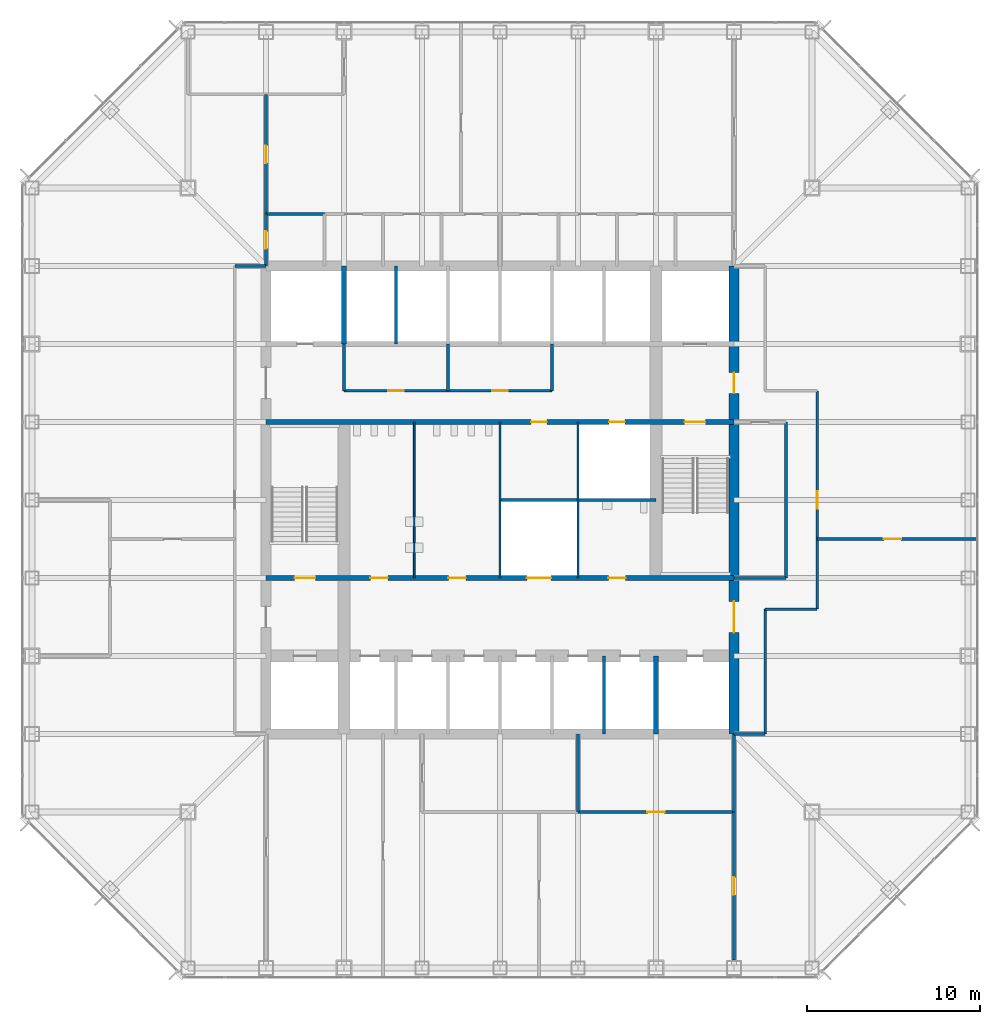
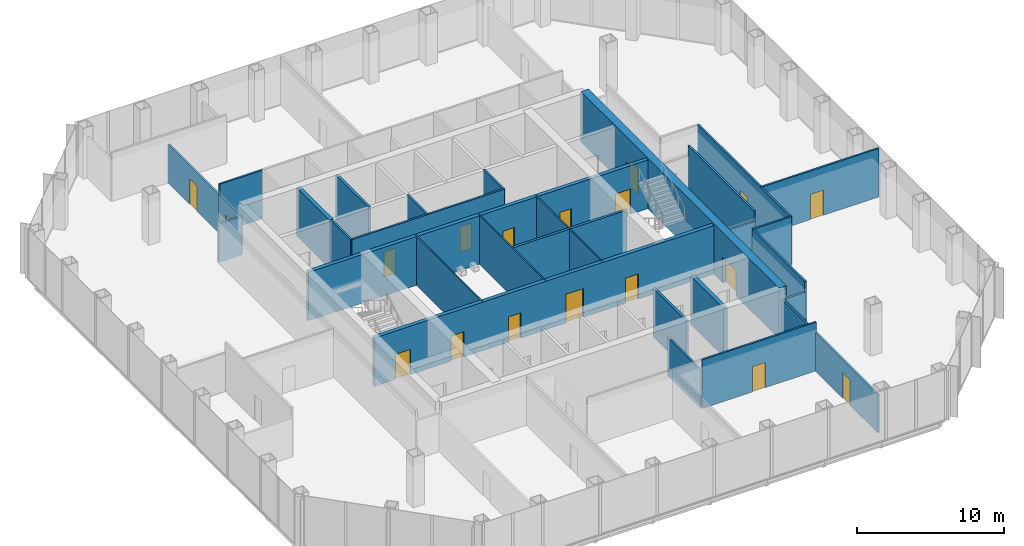
# One storey, part 9 of 13: 30 walls, 18 doors, 18 openings.
"""IFC4 building model written with IfcOpenShell, lengths in metres."""

from ifc_helpers import new_model, si_unit, direction, frame, frame_2d, origin, place, context, subcontext, project, spatial, rectangle, extrude, material, layer, layer_set, type_object, element, fill, save


model = new_model("IFC4")

# Units and contexts
model_context = context("Model", 3, precision=1e-05, world=origin(), true_north=direction((0.0, 1.0)))
body_context = subcontext(model_context, "Body", "Model", "MODEL_VIEW")
ifc_project = project(units=[si_unit("LENGTHUNIT", "METRE"), si_unit("AREAUNIT", "SQUARE_METRE"), si_unit("VOLUMEUNIT", "CUBIC_METRE"), si_unit("PLANEANGLEUNIT", "RADIAN"), si_unit("MASSUNIT", "GRAM", prefix="KILO")], contexts=[model_context])

# Site, building, storey
site_placement = place(None, origin())
site = spatial("IfcSite", under=ifc_project, at=site_placement, CompositionType="ELEMENT")
building_placement = place(site_placement, origin())
building = spatial("IfcBuilding", under=site, at=building_placement, Name="Corais Broadcast Tower", CompositionType="ELEMENT")
storey_placement = place(building_placement, frame((0.0, 0.0, 62.60009765625)))
storey = spatial("IfcBuildingStorey", under=building, at=storey_placement, Name="L13", CompositionType="ELEMENT", Elevation=62.60009765625)

# Walls
ifc_material_1 = material(Name="Concrete blockwork class A, grouted, two-hour", Category="masonry")
ifc_layer_1 = layer(ifc_material_1, 0.300048828125)
ifc_layer_set_1 = layer_set([ifc_layer_1], Name="Concrete blockwork class A, grouted, two-hour")
wall_type_1 = type_object("IfcWallType", Name="Core lobby wall 300", PredefinedType="SOLIDWALL", material=ifc_layer_set_1)
for number, where, z_axis, x_axis, name in (
    (1, (18.0, 36.0, 0.0), (0.0, 0.0, 1.0), (0.0, 1.0, 0.0), "CL1 core shaft wall X18B L13"),
    (2, (36.0, 13.5, 0.0), (0.0, 0.0, 1.0), (0.0, 1.0, 0.0), "CL1 core shaft wall X36A L13"),
):
    element("IfcWall", number, at=place(storey_placement, frame(where, z_axis=z_axis, x_axis=x_axis)), inside=storey, type_object=wall_type_1, Name=name, PredefinedType="SOLIDWALL", context=body_context, shape_type="SweptSolid", body=[
        extrude(rectangle(XDim=4.5, YDim=0.300048828125, at=frame_2d((2.25, 0.0))), origin(), (0.0, 0.0, 1.0), 4.039794921875),
    ])

# Wall, openings, doors
wall_1_placement = place(storey_placement, frame((13.5, 22.5, 0.0), z_axis=(0.0, 0.0, 1.0), x_axis=(1.0, 0.0, 0.0)))
wall_1 = element("IfcWall", 3, at=wall_1_placement, inside=storey, type_object=wall_type_1, Name="CL1 core lobby wall Y225 L13", PredefinedType="SOLIDWALL", context=body_context, shape_type="SweptSolid", body=[
    extrude(rectangle(XDim=27.0, YDim=0.300048828125, at=frame_2d((13.5, 0.0))), origin(), (0.0, 0.0, 1.0), 4.039794921875),
])
opening_1_placement = place(wall_1_placement, frame((1.64990234375, 0.0, 0.0)))
opening_1 = element("IfcOpeningElement", 4, at=opening_1_placement, cuts=wall_1, Name="Opening FD1", PredefinedType="OPENING", context=body_context, shape_type="SweptSolid", body=[
    extrude(rectangle(XDim=1.199951171875, YDim=2.10009765625, at=frame_2d((0.60009765625, 1.050048828125))), frame((0.0, 0.159912109375, 0.0), z_axis=(0.0, -1.0, 0.0), x_axis=(1.0, 0.0, 0.0)), (0.0, 0.0, 1.0), 0.320068359375),
])
opening_2_placement = place(wall_1_placement, frame((6.02490234375, 0.0, 0.0)))
opening_2 = element("IfcOpeningElement", 5, at=opening_2_placement, cuts=wall_1, Name="Opening WD1", PredefinedType="OPENING", context=body_context, shape_type="SweptSolid", body=[
    extrude(rectangle(XDim=1.0, YDim=2.10009765625, at=frame_2d((0.5, 1.050048828125))), frame((0.0, 0.159912109375, 0.0), z_axis=(0.0, -1.0, 0.0), x_axis=(1.0, 0.0, 0.0)), (0.0, 0.0, 1.0), 0.320068359375),
])
opening_3_placement = place(wall_1_placement, frame((10.52490234375, 0.0, 0.0)))
opening_3 = element("IfcOpeningElement", 6, at=opening_3_placement, cuts=wall_1, Name="Opening WD1", PredefinedType="OPENING", context=body_context, shape_type="SweptSolid", body=[
    extrude(rectangle(XDim=1.0, YDim=2.10009765625, at=frame_2d((0.5, 1.050048828125))), frame((0.0, 0.159912109375, 0.0), z_axis=(0.0, -1.0, 0.0), x_axis=(1.0, 0.0, 0.0)), (0.0, 0.0, 1.0), 0.320068359375),
])
opening_4_placement = place(wall_1_placement, frame((19.75, 0.0, 0.0)))
opening_4 = element("IfcOpeningElement", 7, at=opening_4_placement, cuts=wall_1, Name="Opening WD1", PredefinedType="OPENING", context=body_context, shape_type="SweptSolid", body=[
    extrude(rectangle(XDim=1.0, YDim=2.10009765625, at=frame_2d((0.5, 1.050048828125))), frame((0.0, 0.159912109375, 0.0), z_axis=(0.0, -1.0, 0.0), x_axis=(1.0, 0.0, 0.0)), (0.0, 0.0, 1.0), 0.320068359375),
])
opening_5_placement = place(wall_1_placement, frame((15.050048828125, 0.0, 0.0)))
opening_5 = element("IfcOpeningElement", 8, at=opening_5_placement, cuts=wall_1, Name="Opening LD3", PredefinedType="OPENING", context=body_context, shape_type="SweptSolid", body=[
    extrude(rectangle(XDim=1.39990234375, YDim=2.39990234375, at=frame_2d((0.699951171875, 1.199951171875))), frame((0.0, 0.159912109375, 0.0), z_axis=(0.0, -1.0, 0.0), x_axis=(1.0, 0.0, 0.0)), (0.0, 0.0, 1.0), 0.320068359375),
])
ifc_material_2 = material(Name="Steel fire door", Category="steel")
door_type_1 = type_object("IfcDoorType", Name="Fire door 1200x2100", OperationType="SINGLE_SWING_LEFT", PredefinedType="DOOR", material=ifc_material_2)
door_1_placement = place(opening_1_placement, origin())
door_1 = element("IfcDoor", 9, at=door_1_placement, inside=storey, type_object=door_type_1, Name="FD1 stair A door L13", OperationType="SINGLE_SWING_LEFT", OverallHeight=2.10009765625, OverallWidth=1.199951171875, PredefinedType="DOOR", context=body_context, shape_type="SweptSolid", body=[
    extrude(rectangle(XDim=1.199951171875, YDim=2.10009765625, at=frame_2d((0.60009765625, 1.050048828125))), frame((0.0, 0.02490234375, 0.0), z_axis=(0.0, -1.0, 0.0), x_axis=(1.0, 0.0, 0.0)), (0.0, 0.0, 1.0), 0.050048828125),
])
fill(opening_1, door_1)
ifc_material_3 = material(Name="Stainless steel lift door", Category="steel")
door_type_2 = type_object("IfcDoorType", Name="Service lift landing door 1400x2400", OperationType="SLIDING_TO_LEFT", PredefinedType="DOOR", material=ifc_material_3)
door_2_placement = place(opening_5_placement, origin())
door_2 = element("IfcDoor", 10, at=door_2_placement, inside=storey, type_object=door_type_2, Name="LD3 SL1 landing door L13", OperationType="SLIDING_TO_LEFT", OverallHeight=2.39990234375, OverallWidth=1.39990234375, PredefinedType="DOOR", context=body_context, shape_type="SweptSolid", body=[
    extrude(rectangle(XDim=1.39990234375, YDim=2.39990234375, at=frame_2d((0.699951171875, 1.199951171875))), frame((0.0, 0.02490234375, 0.0), z_axis=(0.0, -1.0, 0.0), x_axis=(1.0, 0.0, 0.0)), (0.0, 0.0, 1.0), 0.050048828125),
])
fill(opening_5, door_2)
ifc_material_4 = material(Name="Timber door", Category="wood")
door_type_3 = type_object("IfcDoorType", Name="Toilet door 1000x2100", OperationType="SINGLE_SWING_LEFT", PredefinedType="DOOR", material=ifc_material_4)
door_3_placement = place(opening_2_placement, origin())
door_3 = element("IfcDoor", 11, at=door_3_placement, inside=storey, type_object=door_type_3, Name="WD1 WC male door L13", OperationType="SINGLE_SWING_LEFT", OverallHeight=2.10009765625, OverallWidth=1.0, PredefinedType="DOOR", context=body_context, shape_type="SweptSolid", body=[
    extrude(rectangle(XDim=1.0, YDim=2.10009765625, at=frame_2d((0.5, 1.050048828125))), frame((0.0, 0.02490234375, 0.0), z_axis=(0.0, -1.0, 0.0), x_axis=(1.0, 0.0, 0.0)), (0.0, 0.0, 1.0), 0.050048828125),
])
fill(opening_2, door_3)
door_4_placement = place(opening_3_placement, origin())
door_4 = element("IfcDoor", 12, at=door_4_placement, inside=storey, type_object=door_type_3, Name="WD1 WC female door L13", OperationType="SINGLE_SWING_LEFT", OverallHeight=2.10009765625, OverallWidth=1.0, PredefinedType="DOOR", context=body_context, shape_type="SweptSolid", body=[
    extrude(rectangle(XDim=1.0, YDim=2.10009765625, at=frame_2d((0.5, 1.050048828125))), frame((0.0, 0.02490234375, 0.0), z_axis=(0.0, -1.0, 0.0), x_axis=(1.0, 0.0, 0.0)), (0.0, 0.0, 1.0), 0.050048828125),
])
fill(opening_3, door_4)
door_5_placement = place(opening_4_placement, origin())
door_5 = element("IfcDoor", 13, at=door_5_placement, inside=storey, type_object=door_type_3, Name="WD1 accessible WC door L13", OperationType="SINGLE_SWING_RIGHT", OverallHeight=2.10009765625, OverallWidth=1.0, PredefinedType="DOOR", context=body_context, shape_type="SweptSolid", body=[
    extrude(rectangle(XDim=1.0, YDim=2.10009765625, at=frame_2d((0.5, 1.050048828125))), frame((0.0, 0.02490234375, 0.0), z_axis=(0.0, -1.0, 0.0), x_axis=(1.0, 0.0, 0.0)), (0.0, 0.0, 1.0), 0.050048828125),
])
fill(opening_4, door_5)

wall_2_placement = place(storey_placement, frame((13.5, 31.5, 0.0), z_axis=(0.0, 0.0, 1.0), x_axis=(1.0, 0.0, 0.0)))
wall_2 = element("IfcWall", 14, at=wall_2_placement, inside=storey, type_object=wall_type_1, Name="CL1 core lobby wall Y315 L13", PredefinedType="SOLIDWALL", context=body_context, shape_type="SweptSolid", body=[
    extrude(rectangle(XDim=27.0, YDim=0.300048828125, at=frame_2d((13.5, 0.0))), origin(), (0.0, 0.0, 1.0), 4.039794921875),
])
opening_6_placement = place(wall_2_placement, frame((24.14990234375, 0.0, 0.0)))
opening_6 = element("IfcOpeningElement", 15, at=opening_6_placement, cuts=wall_2, Name="Opening FD1", PredefinedType="OPENING", context=body_context, shape_type="SweptSolid", body=[
    extrude(rectangle(XDim=1.199951171875, YDim=2.10009765625, at=frame_2d((0.60009765625, 1.050048828125))), frame((0.0, 0.159912109375, 0.0), z_axis=(0.0, -1.0, 0.0), x_axis=(1.0, 0.0, 0.0)), (0.0, 0.0, 1.0), 0.320068359375),
])
opening_7_placement = place(wall_2_placement, frame((15.300048828125, 0.0, 0.0)))
opening_7 = element("IfcOpeningElement", 16, at=opening_7_placement, cuts=wall_2, Name="Opening RD1", PredefinedType="OPENING", context=body_context, shape_type="SweptSolid", body=[
    extrude(rectangle(XDim=0.89990234375, YDim=2.10009765625, at=frame_2d((0.449951171875, 1.050048828125))), frame((0.0, 0.159912109375, 0.0), z_axis=(0.0, -1.0, 0.0), x_axis=(1.0, 0.0, 0.0)), (0.0, 0.0, 1.0), 0.320068359375),
])
opening_8_placement = place(wall_2_placement, frame((19.800048828125, 0.0, 0.0)))
opening_8 = element("IfcOpeningElement", 17, at=opening_8_placement, cuts=wall_2, Name="Opening RD1", PredefinedType="OPENING", context=body_context, shape_type="SweptSolid", body=[
    extrude(rectangle(XDim=0.89990234375, YDim=2.10009765625, at=frame_2d((0.449951171875, 1.050048828125))), frame((0.0, 0.159912109375, 0.0), z_axis=(0.0, -1.0, 0.0), x_axis=(1.0, 0.0, 0.0)), (0.0, 0.0, 1.0), 0.320068359375),
])
door_6_placement = place(opening_6_placement, origin())
door_6 = element("IfcDoor", 18, at=door_6_placement, inside=storey, type_object=door_type_1, Name="FD1 stair B door L13", OperationType="SINGLE_SWING_RIGHT", OverallHeight=2.10009765625, OverallWidth=1.199951171875, PredefinedType="DOOR", context=body_context, shape_type="SweptSolid", body=[
    extrude(rectangle(XDim=1.199951171875, YDim=2.10009765625, at=frame_2d((0.60009765625, 1.050048828125))), frame((0.0, 0.02490234375, 0.0), z_axis=(0.0, -1.0, 0.0), x_axis=(1.0, 0.0, 0.0)), (0.0, 0.0, 1.0), 0.050048828125),
])
fill(opening_6, door_6)
ifc_material_5 = material(Name="Steel fire door", Category="steel")
door_type_4 = type_object("IfcDoorType", Name="Riser door 900x2100", OperationType="SINGLE_SWING_LEFT", PredefinedType="DOOR", material=ifc_material_5)
door_7_placement = place(opening_7_placement, origin())
door_7 = element("IfcDoor", 19, at=door_7_placement, inside=storey, type_object=door_type_4, Name="RD1 stationery store door L13", OperationType="SINGLE_SWING_RIGHT", OverallHeight=2.10009765625, OverallWidth=0.89990234375, PredefinedType="DOOR", context=body_context, shape_type="SweptSolid", body=[
    extrude(rectangle(XDim=0.89990234375, YDim=2.10009765625, at=frame_2d((0.449951171875, 1.050048828125))), frame((0.0, 0.02490234375, 0.0), z_axis=(0.0, -1.0, 0.0), x_axis=(1.0, 0.0, 0.0)), (0.0, 0.0, 1.0), 0.050048828125),
])
fill(opening_7, door_7)
door_8_placement = place(opening_8_placement, origin())
door_8 = element("IfcDoor", 20, at=door_8_placement, inside=storey, type_object=door_type_4, Name="RD1 riser door L13", OperationType="SINGLE_SWING_RIGHT", OverallHeight=2.10009765625, OverallWidth=0.89990234375, PredefinedType="DOOR", context=body_context, shape_type="SweptSolid", body=[
    extrude(rectangle(XDim=0.89990234375, YDim=2.10009765625, at=frame_2d((0.449951171875, 1.050048828125))), frame((0.0, 0.02490234375, 0.0), z_axis=(0.0, -1.0, 0.0), x_axis=(1.0, 0.0, 0.0)), (0.0, 0.0, 1.0), 0.050048828125),
])
fill(opening_8, door_8)

ifc_material_6 = material(Name="Concrete C50/60", Category="concrete")
ifc_layer_2 = layer(ifc_material_6, 0.60009765625)
ifc_layer_set_2 = layer_set([ifc_layer_2], Name="Concrete C50/60")
wall_type_2 = type_object("IfcWallType", Name="Core wall 600", PredefinedType="SHEAR", material=ifc_layer_set_2)
wall_3_placement = place(storey_placement, frame((40.5, 13.5, 0.0), z_axis=(0.0, 0.0, 1.0), x_axis=(0.0, 1.0, 0.0)))
wall_3 = element("IfcWall", 21, at=wall_3_placement, inside=storey, type_object=wall_type_2, Name="CR600 core wall E L13", PredefinedType="SHEAR", context=body_context, shape_type="SweptSolid", body=[
    extrude(rectangle(XDim=27.0, YDim=0.60009765625, at=frame_2d((13.5, 0.0))), origin(), (0.0, 0.0, 1.0), 4.199951171875),
])
opening_9_placement = place(wall_3_placement, frame((5.85009765625, 0.0, 0.0)))
opening_9 = element("IfcOpeningElement", 22, at=opening_9_placement, cuts=wall_3, Name="Opening FD2", PredefinedType="OPENING", context=body_context, shape_type="SweptSolid", body=[
    extrude(rectangle(XDim=1.800048828125, YDim=2.10009765625, at=frame_2d((0.89990234375, 1.050048828125))), frame((0.0, 0.31005859375, 0.0), z_axis=(0.0, -1.0, 0.0), x_axis=(1.0, 0.0, 0.0)), (0.0, 0.0, 1.0), 0.6201171875),
])
opening_10_placement = place(wall_3_placement, frame((19.64990234375, 0.0, 0.0)))
opening_10 = element("IfcOpeningElement", 23, at=opening_10_placement, cuts=wall_3, Name="Opening FD1", PredefinedType="OPENING", context=body_context, shape_type="SweptSolid", body=[
    extrude(rectangle(XDim=1.199951171875, YDim=2.10009765625, at=frame_2d((0.60009765625, 1.050048828125))), frame((0.0, 0.31005859375, 0.0), z_axis=(0.0, -1.0, 0.0), x_axis=(1.0, 0.0, 0.0)), (0.0, 0.0, 1.0), 0.6201171875),
])
door_9_placement = place(opening_10_placement, origin())
door_9 = element("IfcDoor", 24, at=door_9_placement, inside=storey, type_object=door_type_1, Name="FD1 fire lobby B door L13", OperationType="SINGLE_SWING_RIGHT", OverallHeight=2.10009765625, OverallWidth=1.199951171875, PredefinedType="DOOR", context=body_context, shape_type="SweptSolid", body=[
    extrude(rectangle(XDim=1.199951171875, YDim=2.10009765625, at=frame_2d((0.60009765625, 1.050048828125))), frame((0.0, 0.02490234375, 0.0), z_axis=(0.0, -1.0, 0.0), x_axis=(1.0, 0.0, 0.0)), (0.0, 0.0, 1.0), 0.050048828125),
])
fill(opening_10, door_9)
ifc_material_7 = material(Name="Steel fire door", Category="steel")
door_type_5 = type_object("IfcDoorType", Name="Fire door pair 1800x2100", OperationType="DOUBLE_DOOR_SINGLE_SWING", PredefinedType="DOOR", material=ifc_material_7)
door_10_placement = place(opening_9_placement, origin())
door_10 = element("IfcDoor", 25, at=door_10_placement, inside=storey, type_object=door_type_5, Name="FD2 lift lobby door L13", OperationType="SINGLE_SWING_LEFT", OverallHeight=2.10009765625, OverallWidth=1.800048828125, PredefinedType="DOOR", context=body_context, shape_type="SweptSolid", body=[
    extrude(rectangle(XDim=1.800048828125, YDim=2.10009765625, at=frame_2d((0.89990234375, 1.050048828125))), frame((0.0, 0.02490234375, 0.0), z_axis=(0.0, -1.0, 0.0), x_axis=(1.0, 0.0, 0.0)), (0.0, 0.0, 1.0), 0.050048828125),
])
fill(opening_9, door_10)

ifc_material_8 = material(Name="Two layers of fire-rated gypsum board each side on steel studs", Category="steel")
ifc_layer_3 = layer(ifc_material_8, 0.14990234375)
ifc_layer_set_3 = layer_set([ifc_layer_3], Name="Two layers of fire-rated gypsum board each side on steel studs")
wall_type_3 = type_object("IfcWallType", Name="Fire-rated partition 150 EI 60", PredefinedType="PARTITIONING", material=ifc_layer_set_3)
wall_4_placement = place(storey_placement, frame((18.0, 33.300048828125, 0.0), z_axis=(0.0, 0.0, 1.0), x_axis=(1.0, 0.0, 0.0)))
wall_4 = element("IfcWall", 26, at=wall_4_placement, inside=storey, type_object=wall_type_3, Name="IW7 partition L13", PredefinedType="PARTITIONING", context=body_context, shape_type="SweptSolid", body=[
    extrude(rectangle(XDim=12.0, YDim=0.14990234375, at=frame_2d((6.0, 0.0))), origin(), (0.0, 0.0, 1.0), 4.039794921875),
])
opening_11_placement = place(wall_4_placement, frame((2.550048828125, 0.0, 0.0)))
opening_11 = element("IfcOpeningElement", 27, at=opening_11_placement, cuts=wall_4, Name="Opening RD1", PredefinedType="OPENING", context=body_context, shape_type="SweptSolid", body=[
    extrude(rectangle(XDim=0.89990234375, YDim=2.10009765625, at=frame_2d((0.449951171875, 1.050048828125))), frame((0.0, 0.0849609375, 0.0), z_axis=(0.0, -1.0, 0.0), x_axis=(1.0, 0.0, 0.0)), (0.0, 0.0, 1.0), 0.169921875),
])
opening_12_placement = place(wall_4_placement, frame((8.550048828125, 0.0, 0.0)))
opening_12 = element("IfcOpeningElement", 28, at=opening_12_placement, cuts=wall_4, Name="Opening RD1", PredefinedType="OPENING", context=body_context, shape_type="SweptSolid", body=[
    extrude(rectangle(XDim=0.89990234375, YDim=2.10009765625, at=frame_2d((0.449951171875, 1.050048828125))), frame((0.0, 0.0849609375, 0.0), z_axis=(0.0, -1.0, 0.0), x_axis=(1.0, 0.0, 0.0)), (0.0, 0.0, 1.0), 0.169921875),
])
door_11_placement = place(opening_11_placement, origin())
door_11 = element("IfcDoor", 29, at=door_11_placement, inside=storey, type_object=door_type_4, Name="RD1 locker room door L13", OperationType="SINGLE_SWING_LEFT", OverallHeight=2.10009765625, OverallWidth=0.89990234375, PredefinedType="DOOR", context=body_context, shape_type="SweptSolid", body=[
    extrude(rectangle(XDim=0.89990234375, YDim=2.10009765625, at=frame_2d((0.449951171875, 1.050048828125))), frame((0.0, 0.02490234375, 0.0), z_axis=(0.0, -1.0, 0.0), x_axis=(1.0, 0.0, 0.0)), (0.0, 0.0, 1.0), 0.050048828125),
])
fill(opening_11, door_11)
door_12_placement = place(opening_12_placement, origin())
door_12 = element("IfcDoor", 30, at=door_12_placement, inside=storey, type_object=door_type_4, Name="RD1 tea point door L13", OperationType="SINGLE_SWING_RIGHT", OverallHeight=2.10009765625, OverallWidth=0.89990234375, PredefinedType="DOOR", context=body_context, shape_type="SweptSolid", body=[
    extrude(rectangle(XDim=0.89990234375, YDim=2.10009765625, at=frame_2d((0.449951171875, 1.050048828125))), frame((0.0, 0.02490234375, 0.0), z_axis=(0.0, -1.0, 0.0), x_axis=(1.0, 0.0, 0.0)), (0.0, 0.0, 1.0), 0.050048828125),
])
fill(opening_12, door_12)

# Walls
for number, where, z_axis, x_axis, name in (
    (31, (18.0, 33.300048828125, 0.0), (0.0, 0.0, 1.0), (0.0, 1.0, 0.0), "IW7 partition L13"),
    (32, (24.0, 33.300048828125, 0.0), (0.0, 0.0, 1.0), (0.0, 1.0, 0.0), "IW7 partition L13"),
    (33, (30.0, 33.300048828125, 0.0), (0.0, 0.0, 1.0), (0.0, 1.0, 0.0), "IW7 partition L13"),
):
    element("IfcWall", number, at=place(storey_placement, frame(where, z_axis=z_axis, x_axis=x_axis)), inside=storey, type_object=wall_type_3, Name=name, PredefinedType="PARTITIONING", context=body_context, shape_type="SweptSolid", body=[
        extrude(rectangle(XDim=2.699951171875, YDim=0.14990234375, at=frame_2d((1.35009765625, 0.0))), origin(), (0.0, 0.0, 1.0), 4.039794921875),
    ])

# Wall, opening, door
ifc_material_9 = material(Name="Gypsum board on steel studs", Category="steel")
ifc_layer_4 = layer(ifc_material_9, 0.14990234375)
ifc_layer_set_4 = layer_set([ifc_layer_4], Name="Gypsum board on steel studs")
wall_type_4 = type_object("IfcWallType", Name="Partition 150", PredefinedType="PARTITIONING", material=ifc_layer_set_4)
wall_5_placement = place(storey_placement, frame((45.300048828125, 20.699951171875, 0.0), z_axis=(0.0, 0.0, 1.0), x_axis=(0.0, 1.0, 0.0)))
wall_5 = element("IfcWall", 34, at=wall_5_placement, inside=storey, type_object=wall_type_4, Name="IW3 corridor wall L13", PredefinedType="PARTITIONING", context=body_context, shape_type="SweptSolid", body=[
    extrude(rectangle(XDim=12.60009765625, YDim=0.14990234375, at=frame_2d((6.300048828125, 0.0))), origin(), (0.0, 0.0, 1.0), 4.039794921875),
])
opening_13_placement = place(wall_5_placement, frame((5.800048828125, 0.0, 0.0)))
opening_13 = element("IfcOpeningElement", 35, at=opening_13_placement, cuts=wall_5, Name="Opening D1", PredefinedType="OPENING", context=body_context, shape_type="SweptSolid", body=[
    extrude(rectangle(XDim=1.0, YDim=2.10009765625, at=frame_2d((0.5, 1.050048828125))), frame((0.0, 0.0849609375, 0.0), z_axis=(0.0, -1.0, 0.0), x_axis=(1.0, 0.0, 0.0)), (0.0, 0.0, 1.0), 0.169921875),
])
ifc_material_10 = material(Name="Timber door", Category="wood")
door_type_6 = type_object("IfcDoorType", Name="Single door 1000x2100", OperationType="SINGLE_SWING_LEFT", PredefinedType="DOOR", material=ifc_material_10)
door_13_placement = place(opening_13_placement, origin())
door_13 = element("IfcDoor", 36, at=door_13_placement, inside=storey, type_object=door_type_6, Name="D1 workplace door L13", OperationType="SINGLE_SWING_LEFT", OverallHeight=2.10009765625, OverallWidth=1.0, PredefinedType="DOOR", context=body_context, shape_type="SweptSolid", body=[
    extrude(rectangle(XDim=1.0, YDim=2.10009765625, at=frame_2d((0.5, 1.050048828125))), frame((0.0, 0.02490234375, 0.0), z_axis=(0.0, -1.0, 0.0), x_axis=(1.0, 0.0, 0.0)), (0.0, 0.0, 1.0), 0.050048828125),
])
fill(opening_13, door_13)

# Walls
wall_6_placement = place(storey_placement, frame((42.300048828125, 13.5, 0.0), z_axis=(0.0, 0.0, 1.0), x_axis=(0.0, 1.0, 0.0)))
element("IfcWall", 37, at=wall_6_placement, inside=storey, type_object=wall_type_4, Name="IW3 corridor wall L13", PredefinedType="PARTITIONING", context=body_context, shape_type="SweptSolid", body=[
    extrude(rectangle(XDim=7.199951171875, YDim=0.14990234375, at=frame_2d((3.60009765625, 0.0))), origin(), (0.0, 0.0, 1.0), 4.039794921875),
])
wall_7_placement = place(storey_placement, frame((42.300048828125, 20.699951171875, 0.0), z_axis=(0.0, 0.0, 1.0), x_axis=(1.0, 0.0, 0.0)))
element("IfcWall", 38, at=wall_7_placement, inside=storey, type_object=wall_type_4, Name="IW3 corridor wall L13", PredefinedType="PARTITIONING", context=body_context, shape_type="SweptSolid", body=[
    extrude(rectangle(XDim=3.0, YDim=0.14990234375, at=frame_2d((1.5, 0.0))), origin(), (0.0, 0.0, 1.0), 4.039794921875),
])
for number, where, z_axis, x_axis, name in (
    (39, (13.5, 40.5, 0.0), (0.0, 0.0, 1.0), (-1.0, 0.0, 0.0), "IW3 corridor wall L13"),
    (40, (40.5, 13.5, 0.0), (0.0, 0.0, 1.0), (1.0, 0.0, 0.0), "IW3 corridor wall L13"),
):
    element("IfcWall", number, at=place(storey_placement, frame(where, z_axis=z_axis, x_axis=x_axis)), inside=storey, type_object=wall_type_4, Name=name, PredefinedType="PARTITIONING", context=body_context, shape_type="SweptSolid", body=[
        extrude(rectangle(XDim=1.800048828125, YDim=0.14990234375, at=frame_2d((0.89990234375, 0.0))), origin(), (0.0, 0.0, 1.0), 3.18896484375),
    ])
wall_8_placement = place(storey_placement, frame((16.875, 43.5, 0.0), z_axis=(0.0, 0.0, 1.0), x_axis=(-1.0, 0.0, 0.0)))
element("IfcWall", 41, at=wall_8_placement, inside=storey, type_object=wall_type_4, Name="IW3 partition L13", PredefinedType="PARTITIONING", context=body_context, shape_type="SweptSolid", body=[
    extrude(rectangle(XDim=3.375, YDim=0.14990234375, at=frame_2d((1.6875, 0.0))), origin(), (0.0, 0.0, 1.0), 4.039794921875),
])

# Wall, opening, door
wall_9_placement = place(storey_placement, frame((13.5, 43.5, 0.0), z_axis=(0.0, 0.0, 1.0), x_axis=(0.0, -1.0, 0.0)))
wall_9 = element("IfcWall", 42, at=wall_9_placement, inside=storey, type_object=wall_type_4, Name="IW3 partition L13", PredefinedType="PARTITIONING", context=body_context, shape_type="SweptSolid", body=[
    extrude(rectangle(XDim=3.0, YDim=0.14990234375, at=frame_2d((1.5, 0.0))), origin(), (0.0, 0.0, 1.0), 3.18896484375),
])
opening_14_placement = place(wall_9_placement, frame((1.0, 0.0, 0.0)))
opening_14 = element("IfcOpeningElement", 43, at=opening_14_placement, cuts=wall_9, Name="Opening D1", PredefinedType="OPENING", context=body_context, shape_type="SweptSolid", body=[
    extrude(rectangle(XDim=1.0, YDim=2.10009765625, at=frame_2d((0.5, 1.050048828125))), frame((0.0, 0.0849609375, 0.0), z_axis=(0.0, -1.0, 0.0), x_axis=(1.0, 0.0, 0.0)), (0.0, 0.0, 1.0), 0.169921875),
])
door_14_placement = place(opening_14_placement, origin())
door_14 = element("IfcDoor", 44, at=door_14_placement, inside=storey, type_object=door_type_6, Name="D1 Podcast booth door", OperationType="SINGLE_SWING_LEFT", OverallHeight=2.10009765625, OverallWidth=1.0, PredefinedType="DOOR", context=body_context, shape_type="SweptSolid", body=[
    extrude(rectangle(XDim=1.0, YDim=2.10009765625, at=frame_2d((0.5, 1.050048828125))), frame((0.0, 0.02490234375, 0.0), z_axis=(0.0, -1.0, 0.0), x_axis=(1.0, 0.0, 0.0)), (0.0, 0.0, 1.0), 0.050048828125),
])
fill(opening_14, door_14)

# Wall
wall_10_placement = place(storey_placement, frame((31.5, 9.0, 0.0), z_axis=(0.0, 0.0, 1.0), x_axis=(0.0, 1.0, 0.0)))
element("IfcWall", 45, at=wall_10_placement, inside=storey, type_object=wall_type_4, Name="IW3 partition L13", PredefinedType="PARTITIONING", context=body_context, shape_type="SweptSolid", body=[
    extrude(rectangle(XDim=4.5, YDim=0.14990234375, at=frame_2d((2.25, 0.0))), origin(), (0.0, 0.0, 1.0), 3.18896484375),
])

# Wall, opening, door
wall_11_placement = place(storey_placement, frame((31.5, 9.0, 0.0), z_axis=(0.0, 0.0, 1.0), x_axis=(1.0, 0.0, 0.0)))
wall_11 = element("IfcWall", 46, at=wall_11_placement, inside=storey, type_object=wall_type_4, Name="IW3 partition L13", PredefinedType="PARTITIONING", context=body_context, shape_type="SweptSolid", body=[
    extrude(rectangle(XDim=9.0, YDim=0.14990234375, at=frame_2d((4.5, 0.0))), origin(), (0.0, 0.0, 1.0), 4.039794921875),
])
opening_15_placement = place(wall_11_placement, frame((4.0, 0.0, 0.0)))
opening_15 = element("IfcOpeningElement", 47, at=opening_15_placement, cuts=wall_11, Name="Opening D1", PredefinedType="OPENING", context=body_context, shape_type="SweptSolid", body=[
    extrude(rectangle(XDim=1.0, YDim=2.10009765625, at=frame_2d((0.5, 1.050048828125))), frame((0.0, 0.0849609375, 0.0), z_axis=(0.0, -1.0, 0.0), x_axis=(1.0, 0.0, 0.0)), (0.0, 0.0, 1.0), 0.169921875),
])
door_15_placement = place(opening_15_placement, origin())
door_15 = element("IfcDoor", 48, at=door_15_placement, inside=storey, type_object=door_type_6, Name="D1 Radio producer office door", OperationType="SINGLE_SWING_LEFT", OverallHeight=2.10009765625, OverallWidth=1.0, PredefinedType="DOOR", context=body_context, shape_type="SweptSolid", body=[
    extrude(rectangle(XDim=1.0, YDim=2.10009765625, at=frame_2d((0.5, 1.050048828125))), frame((0.0, 0.02490234375, 0.0), z_axis=(0.0, -1.0, 0.0), x_axis=(1.0, 0.0, 0.0)), (0.0, 0.0, 1.0), 0.050048828125),
])
fill(opening_15, door_15)

# Walls
wall_12_placement = place(storey_placement, frame((40.5, 9.0, 0.0), z_axis=(0.0, 0.0, 1.0), x_axis=(0.0, 1.0, 0.0)))
element("IfcWall", 49, at=wall_12_placement, inside=storey, type_object=wall_type_4, Name="IW3 partition L13", PredefinedType="PARTITIONING", context=body_context, shape_type="SweptSolid", body=[
    extrude(rectangle(XDim=4.5, YDim=0.14990234375, at=frame_2d((2.25, 0.0))), origin(), (0.0, 0.0, 1.0), 3.18896484375),
])
wall_13_placement = place(storey_placement, frame((40.5, 22.5, 0.0), z_axis=(0.0, 0.0, 1.0), x_axis=(1.0, 0.0, 0.0)))
element("IfcWall", 50, at=wall_13_placement, inside=storey, type_object=wall_type_4, Name="IW3 partition L13", PredefinedType="PARTITIONING", context=body_context, shape_type="SweptSolid", body=[
    extrude(rectangle(XDim=3.0, YDim=0.14990234375, at=frame_2d((1.5, 0.0))), origin(), (0.0, 0.0, 1.0), 3.18896484375),
])
wall_14_placement = place(storey_placement, frame((43.5, 22.5, 0.0), z_axis=(0.0, 0.0, 1.0), x_axis=(0.0, 1.0, 0.0)))
element("IfcWall", 51, at=wall_14_placement, inside=storey, type_object=wall_type_4, Name="IW3 partition L13", PredefinedType="PARTITIONING", context=body_context, shape_type="SweptSolid", body=[
    extrude(rectangle(XDim=9.0, YDim=0.14990234375, at=frame_2d((4.5, 0.0))), origin(), (0.0, 0.0, 1.0), 4.039794921875),
])

# Wall, opening, door
wall_15_placement = place(storey_placement, frame((54.52001953125, 24.75, 0.0), z_axis=(0.0, 0.0, 1.0), x_axis=(-1.0, 0.0, 0.0)))
wall_15 = element("IfcWall", 52, at=wall_15_placement, inside=storey, type_object=wall_type_4, Name="IW3 partition L13", PredefinedType="PARTITIONING", context=body_context, shape_type="SweptSolid", body=[
    extrude(rectangle(XDim=9.219970703125, YDim=0.14990234375, at=frame_2d((4.60986328125, 0.0))), origin(), (0.0, 0.0, 1.0), 4.039794921875),
])
opening_16_placement = place(wall_15_placement, frame((4.3701171875, 0.0, 0.0)))
opening_16 = element("IfcOpeningElement", 53, at=opening_16_placement, cuts=wall_15, Name="Opening D1", PredefinedType="OPENING", context=body_context, shape_type="SweptSolid", body=[
    extrude(rectangle(XDim=1.0, YDim=2.10009765625, at=frame_2d((0.5, 1.050048828125))), frame((0.0, 0.0849609375, 0.0), z_axis=(0.0, -1.0, 0.0), x_axis=(1.0, 0.0, 0.0)), (0.0, 0.0, 1.0), 0.169921875),
])
door_16_placement = place(opening_16_placement, origin())
door_16 = element("IfcDoor", 54, at=door_16_placement, inside=storey, type_object=door_type_6, Name="D1 team room door L13", OperationType="SINGLE_SWING_RIGHT", OverallHeight=2.10009765625, OverallWidth=1.0, PredefinedType="DOOR", context=body_context, shape_type="SweptSolid", body=[
    extrude(rectangle(XDim=1.0, YDim=2.10009765625, at=frame_2d((0.5, 1.050048828125))), frame((0.0, 0.02490234375, 0.0), z_axis=(0.0, -1.0, 0.0), x_axis=(1.0, 0.0, 0.0)), (0.0, 0.0, 1.0), 0.050048828125),
])
fill(opening_16, door_16)

wall_16_placement = place(storey_placement, frame((40.5, 9.0, 0.0), z_axis=(0.0, 0.0, 1.0), x_axis=(0.0, -1.0, 0.0)))
wall_16 = element("IfcWall", 55, at=wall_16_placement, inside=storey, type_object=wall_type_4, Name="IW3 partition L13", PredefinedType="PARTITIONING", context=body_context, shape_type="SweptSolid", body=[
    extrude(rectangle(XDim=8.554931640625, YDim=0.14990234375, at=frame_2d((4.27734375, 0.0))), origin(), (0.0, 0.0, 1.0), 3.18896484375),
])
opening_17_placement = place(wall_16_placement, frame((3.777587890625, 0.0, 0.0)))
opening_17 = element("IfcOpeningElement", 56, at=opening_17_placement, cuts=wall_16, Name="Opening D1", PredefinedType="OPENING", context=body_context, shape_type="SweptSolid", body=[
    extrude(rectangle(XDim=1.0, YDim=2.10009765625, at=frame_2d((0.5, 1.050048828125))), frame((0.0, 0.0849609375, 0.0), z_axis=(0.0, -1.0, 0.0), x_axis=(1.0, 0.0, 0.0)), (0.0, 0.0, 1.0), 0.169921875),
])
door_17_placement = place(opening_17_placement, origin())
door_17 = element("IfcDoor", 57, at=door_17_placement, inside=storey, type_object=door_type_6, Name="D1 team room door L13", OperationType="SINGLE_SWING_LEFT", OverallHeight=2.10009765625, OverallWidth=1.0, PredefinedType="DOOR", context=body_context, shape_type="SweptSolid", body=[
    extrude(rectangle(XDim=1.0, YDim=2.10009765625, at=frame_2d((0.5, 1.050048828125))), frame((0.0, 0.02490234375, 0.0), z_axis=(0.0, -1.0, 0.0), x_axis=(1.0, 0.0, 0.0)), (0.0, 0.0, 1.0), 0.050048828125),
])
fill(opening_17, door_17)

wall_17_placement = place(storey_placement, frame((13.5, 50.39990234375, 0.0), z_axis=(0.0, 0.0, 1.0), x_axis=(0.0, -1.0, 0.0)))
wall_17 = element("IfcWall", 58, at=wall_17_placement, inside=storey, type_object=wall_type_4, Name="IW3 partition L13", PredefinedType="PARTITIONING", context=body_context, shape_type="SweptSolid", body=[
    extrude(rectangle(XDim=6.919921875, YDim=0.14990234375, at=frame_2d((3.4599609375, 0.0))), origin(), (0.0, 0.0, 1.0), 3.18896484375),
])
opening_18_placement = place(wall_17_placement, frame((2.9599609375, 0.0, 0.0)))
opening_18 = element("IfcOpeningElement", 59, at=opening_18_placement, cuts=wall_17, Name="Opening D1", PredefinedType="OPENING", context=body_context, shape_type="SweptSolid", body=[
    extrude(rectangle(XDim=1.0, YDim=2.10009765625, at=frame_2d((0.5, 1.050048828125))), frame((0.0, 0.0849609375, 0.0), z_axis=(0.0, -1.0, 0.0), x_axis=(1.0, 0.0, 0.0)), (0.0, 0.0, 1.0), 0.169921875),
])
door_18_placement = place(opening_18_placement, origin())
door_18 = element("IfcDoor", 60, at=door_18_placement, inside=storey, type_object=door_type_6, Name="D1 team room door L13", OperationType="SINGLE_SWING_LEFT", OverallHeight=2.10009765625, OverallWidth=1.0, PredefinedType="DOOR", context=body_context, shape_type="SweptSolid", body=[
    extrude(rectangle(XDim=1.0, YDim=2.10009765625, at=frame_2d((0.5, 1.050048828125))), frame((0.0, 0.02490234375, 0.0), z_axis=(0.0, -1.0, 0.0), x_axis=(1.0, 0.0, 0.0)), (0.0, 0.0, 1.0), 0.050048828125),
])
fill(opening_18, door_18)

# Walls
ifc_material_11 = material(Name="Concrete blockwork class A, grouted, two-hour", Category="masonry")
ifc_layer_5 = layer(ifc_material_11, 0.199951171875)
ifc_layer_set_5 = layer_set([ifc_layer_5], Name="Concrete blockwork class A, grouted, two-hour")
wall_type_5 = type_object("IfcWallType", Name="Shaft wall 200", PredefinedType="PARTITIONING", material=ifc_layer_set_5)
for number, where, z_axis, x_axis, name in (
    (61, (21.0, 36.0, 0.0), (0.0, 0.0, 1.0), (0.0, 1.0, 0.0), "IW1 shaft wall L13"),
    (62, (33.0, 13.5, 0.0), (0.0, 0.0, 1.0), (0.0, 1.0, 0.0), "IW1 shaft wall L13"),
):
    element("IfcWall", number, at=place(storey_placement, frame(where, z_axis=z_axis, x_axis=x_axis)), inside=storey, type_object=wall_type_5, Name=name, PredefinedType="PARTITIONING", context=body_context, shape_type="SweptSolid", body=[
        extrude(rectangle(XDim=4.5, YDim=0.199951171875, at=frame_2d((2.25, 0.0))), origin(), (0.0, 0.0, 1.0), 4.039794921875),
    ])
wall_18_placement = place(storey_placement, frame((27.0, 27.0, 0.0), z_axis=(0.0, 0.0, 1.0), x_axis=(1.0, 0.0, 0.0)))
element("IfcWall", 63, at=wall_18_placement, inside=storey, type_object=wall_type_5, Name="IW1 shaft wall L13", PredefinedType="PARTITIONING", context=body_context, shape_type="SweptSolid", body=[
    extrude(rectangle(XDim=9.0, YDim=0.199951171875, at=frame_2d((4.5, 0.0))), origin(), (0.0, 0.0, 1.0), 4.039794921875),
])
ifc_material_12 = material(Name="Dense concrete blockwork class A, tiled both faces", Category="masonry")
ifc_layer_6 = layer(ifc_material_12, 0.10009765625)
ifc_layer_set_6 = layer_set([ifc_layer_6], Name="Dense concrete blockwork class A, tiled both faces")
wall_type_6 = type_object("IfcWallType", Name="Toilet wall 100", PredefinedType="PLUMBINGWALL", material=ifc_layer_set_6)
for number, where, z_axis, x_axis, name in (
    (64, (22.050048828125, 22.5, 0.0), (0.0, 0.0, 1.0), (0.0, 1.0, 0.0), "IW2 toilet wall L13"),
    (65, (27.0, 22.5, 0.0), (0.0, 0.0, 1.0), (0.0, 1.0, 0.0), "IW2 toilet wall L13"),
    (66, (31.5, 22.5, 0.0), (0.0, 0.0, 1.0), (0.0, 1.0, 0.0), "IW2 toilet wall L13"),
):
    element("IfcWall", number, at=place(storey_placement, frame(where, z_axis=z_axis, x_axis=x_axis)), inside=storey, type_object=wall_type_6, Name=name, PredefinedType="PLUMBINGWALL", context=body_context, shape_type="SweptSolid", body=[
        extrude(rectangle(XDim=9.0, YDim=0.10009765625, at=frame_2d((4.5, 0.0))), origin(), (0.0, 0.0, 1.0), 4.039794921875),
    ])

save(model, "model.ifc")
